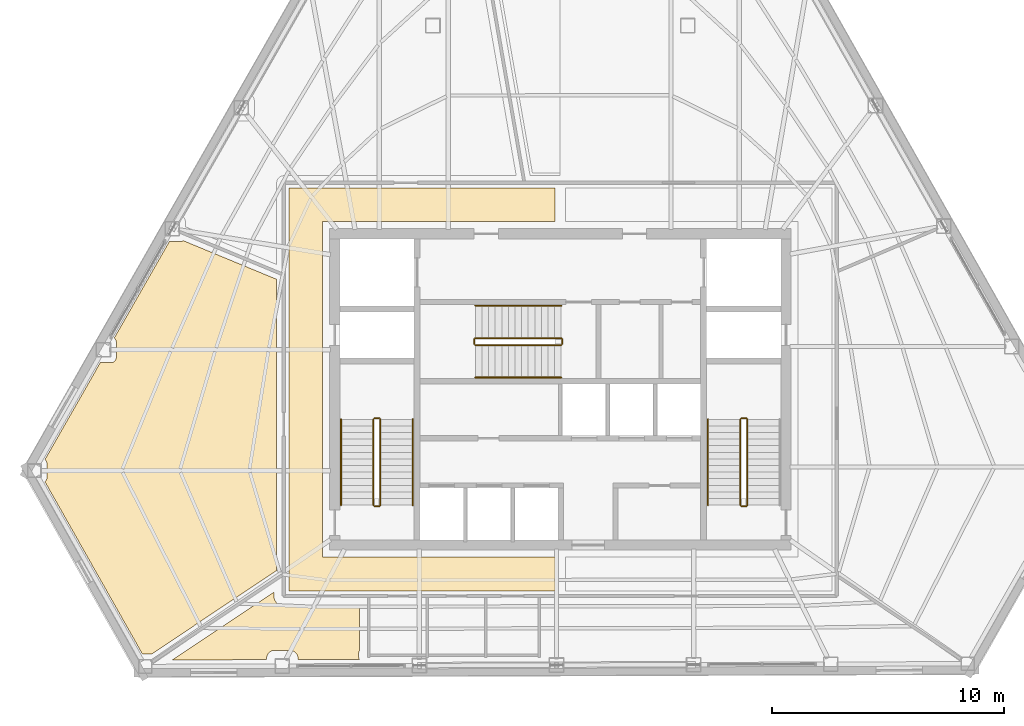
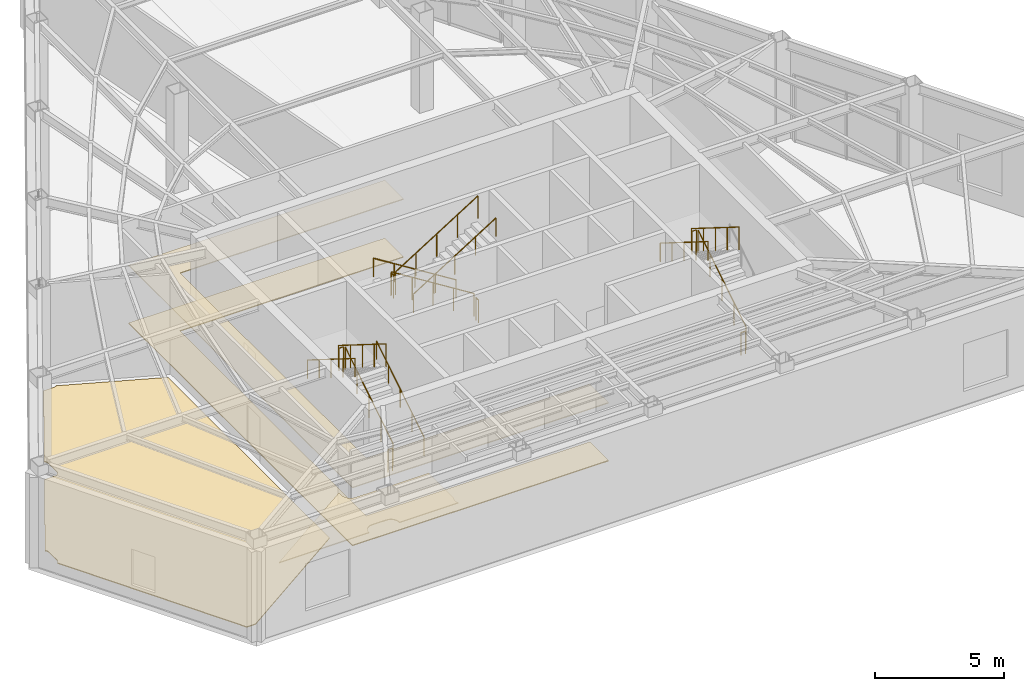
# One storey, part 13 of 14: 17 railings, 4 coverings.
"""IFC4 building model written with IfcOpenShell, lengths in metres."""

from ifc_helpers import new_model, si_unit, direction, frame, origin, origin_2d, place, context, subcontext, project, spatial, polyline, circle, outline, extrude, material, layer, layer_set, type_object, element, save


model = new_model("IFC4")

# Units and contexts
model_context = context("Model", 3, precision=1e-05, world=origin(), true_north=direction((0.0, 1.0)))
body_context = subcontext(model_context, "Body", "Model", "MODEL_VIEW")
ifc_project = project(units=[si_unit("LENGTHUNIT", "METRE"), si_unit("AREAUNIT", "SQUARE_METRE"), si_unit("VOLUMEUNIT", "CUBIC_METRE"), si_unit("PLANEANGLEUNIT", "RADIAN"), si_unit("MASSUNIT", "GRAM", prefix="KILO")], contexts=[model_context])

# Site, building, storey
site_placement = place(None, origin())
site = spatial("IfcSite", under=ifc_project, at=site_placement, CompositionType="ELEMENT")
building_placement = place(site_placement, origin())
building = spatial("IfcBuilding", under=site, at=building_placement, Name="Kavelnor Concourse Tower", CompositionType="ELEMENT")
storey_placement = place(building_placement, frame((0.0, 0.0, 160.0)))
storey = spatial("IfcBuildingStorey", under=building, at=storey_placement, Name="L40", CompositionType="ELEMENT", Elevation=160.0)

# Coverings
ifc_material_1 = material(Name="Mineral fibre acoustic ceiling tile")
ifc_layer_1 = layer(ifc_material_1, 0.0400390625, Name="Mineral fibre acoustic ceiling tile")
ifc_layer_set_1 = layer_set([ifc_layer_1], Name="Mineral fibre acoustic ceiling tile")
covering_type_1 = type_object("IfcCoveringType", Name="COV-CEILING-ACOUSTIC", PredefinedType="CEILING", material=ifc_layer_set_1)
covering_1_placement = place(storey_placement, frame((0.0, 0.0, 2.75)))
element("IfcCovering", 1, at=covering_1_placement, inside=storey, type_object=covering_type_1, Name="L40 Suspended Acoustic Ceiling", PredefinedType="CEILING", context=body_context, shape_type="SweptSolid", body=[
    extrude(outline(polyline([(26.280029296875, 7.39990234375), (26.280029296875, 24.800048828125), (37.77490234375, 24.800048828125), (37.77490234375, 23.340087890625), (27.739990234375, 23.340087890625), (27.739990234375, 8.860107421875), (37.77490234375, 8.860107421875), (37.77490234375, 7.39990234375), (26.280029296875, 7.39990234375)])), origin(), (0.0, 0.0, 1.0), 0.0400390625),
])
covering_2_placement = place(storey_placement, frame((0.0, 0.0, 2.75)))
element("IfcCovering", 2, at=covering_2_placement, inside=storey, type_object=covering_type_1, Name="L40 Suspended Acoustic Ceiling", PredefinedType="CEILING", context=body_context, shape_type="SweptSolid", body=[
    extrude(outline(polyline([(25.637451171875, 7.344970703125), (25.637451171875, 7.171630859375), (25.63916015625, 7.138427734375), (25.645263671875, 7.097412109375), (25.6552734375, 7.05712890625), (25.669189453125, 7.018310546875), (25.68701171875, 6.980712890625), (25.70849609375, 6.945068359375), (25.733154296875, 6.91162109375), (25.760986328125, 6.881103515625), (25.791748046875, 6.85302734375), (25.824951171875, 6.828369140625), (25.860595703125, 6.806884765625), (25.898193359375, 6.789306640625), (25.937255859375, 6.775390625), (25.9775390625, 6.76513671875), (26.0185546875, 6.759033203125), (26.0517578125, 6.757568359375), (29.3349609375, 6.757568359375), (29.3349609375, 4.8251953125), (29.33251953125, 4.821044921875), (29.3154296875, 4.78515625), (29.302001953125, 4.747802734375), (29.29248046875, 4.708984375), (29.28662109375, 4.669677734375), (29.28466796875, 4.6298828125), (29.28662109375, 4.59033203125), (29.29248046875, 4.55078125), (29.302001953125, 4.51220703125), (29.3154296875, 4.474853515625), (29.32958984375, 4.44482421875), (26.679443359375, 4.435791015625), (26.679443359375, 4.48193359375), (26.677978515625, 4.5087890625), (26.6728515625, 4.5439453125), (26.664306640625, 4.578125), (26.65234375, 4.611572265625), (26.63720703125, 4.6435546875), (26.619140625, 4.673828125), (26.597900390625, 4.7021484375), (26.57421875, 4.728515625), (26.548095703125, 4.752197265625), (26.51953125, 4.773193359375), (26.4892578125, 4.79150390625), (26.457275390625, 4.806640625), (26.424072265625, 4.818603515625), (26.3896484375, 4.8271484375), (26.354736328125, 4.832275390625), (26.32763671875, 4.83349609375), (25.671142578125, 4.83349609375), (25.64404296875, 4.832275390625), (25.609130859375, 4.8271484375), (25.57470703125, 4.818603515625), (25.54150390625, 4.806640625), (25.509521484375, 4.79150390625), (25.479248046875, 4.773193359375), (25.45068359375, 4.752197265625), (25.424560546875, 4.728515625), (25.40087890625, 4.7021484375), (25.379638671875, 4.673828125), (25.361572265625, 4.6435546875), (25.346435546875, 4.611572265625), (25.33447265625, 4.578125), (25.325927734375, 4.5439453125), (25.32080078125, 4.5087890625), (25.3193359375, 4.48193359375), (25.3193359375, 4.431396484375), (21.25390625, 4.41748046875), (25.637451171875, 7.344970703125)])), origin(), (0.0, 0.0, 1.0), 0.0400390625),
])
ifc_material_2 = material(Name="Honed bluestone and raised access floor finish", Category="masonry")
ifc_layer_2 = layer(ifc_material_2, 0.0400390625, Name="Honed bluestone and raised access floor finish")
ifc_layer_set_2 = layer_set([ifc_layer_2], Name="Honed bluestone and raised access floor finish")
covering_type_2 = type_object("IfcCoveringType", Name="COV-FLOOR-STONE", PredefinedType="FLOORING", material=ifc_layer_set_2)
covering_3_placement = place(storey_placement, frame((0.0, 0.0, 0.001953125)))
element("IfcCovering", 3, at=covering_3_placement, inside=storey, type_object=covering_type_2, Name="L40 Honed Bluestone Floor Finish", PredefinedType="FLOORING", context=body_context, shape_type="SweptSolid", body=[
    extrude(outline(polyline([(26.280029296875, 7.39990234375), (26.280029296875, 24.800048828125), (37.77490234375, 24.800048828125), (37.77490234375, 23.340087890625), (27.739990234375, 23.340087890625), (27.739990234375, 8.860107421875), (37.77490234375, 8.860107421875), (37.77490234375, 7.39990234375), (26.280029296875, 7.39990234375)])), origin(), (0.0, 0.0, 1.0), 0.0400390625),
])
covering_4_placement = place(storey_placement, frame((0.0, 0.0, 0.001953125)))
element("IfcCovering", 4, at=covering_4_placement, inside=storey, type_object=covering_type_2, Name="L40 Honed Bluestone Floor Finish", PredefinedType="FLOORING", context=body_context, shape_type="SweptSolid", body=[
    extrude(outline(polyline([(15.765869140625, 12.12109375), (15.781494140625, 12.138427734375), (15.795654296875, 12.157470703125), (15.807861328125, 12.177490234375), (15.81787109375, 12.198974609375), (15.82568359375, 12.22119140625), (15.83154296875, 12.243896484375), (15.8349609375, 12.267333984375), (15.8359375, 12.285400390625), (15.8359375, 12.896240234375), (15.8349609375, 12.91455078125), (15.83154296875, 12.937744140625), (15.82568359375, 12.960693359375), (15.81787109375, 12.98291015625), (15.807861328125, 13.004150390625), (15.795654296875, 13.0244140625), (15.781494140625, 13.043212890625), (15.765869140625, 13.060791015625), (15.754150390625, 13.0712890625), (18.138427734375, 17.251708984375), (18.598876953125, 17.251708984375), (18.6171875, 17.252685546875), (18.640380859375, 17.256103515625), (18.6630859375, 17.261962890625), (18.685302734375, 17.269775390625), (18.706787109375, 17.27978515625), (18.72705078125, 17.2919921875), (18.745849609375, 17.30615234375), (18.763427734375, 17.322021484375), (18.779296875, 17.33935546875), (18.793212890625, 17.3583984375), (18.805419921875, 17.37841796875), (18.8154296875, 17.39990234375), (18.823486328125, 17.422119140625), (18.8291015625, 17.44482421875), (18.83251953125, 17.46826171875), (18.83349609375, 17.486328125), (18.83349609375, 18.13720703125), (18.83251953125, 18.155517578125), (18.8291015625, 18.1787109375), (18.823486328125, 18.201416015625), (18.8154296875, 18.2236328125), (18.805419921875, 18.2451171875), (18.793212890625, 18.265380859375), (18.779296875, 18.2841796875), (18.763427734375, 18.3017578125), (18.74609375, 18.3173828125), (21.115966796875, 22.47265625), (21.57666015625, 22.47265625), (21.5947265625, 22.4736328125), (21.6181640625, 22.47705078125), (21.640869140625, 22.48291015625), (21.6630859375, 22.49072265625), (21.6845703125, 22.500732421875), (21.70458984375, 22.512939453125), (21.7158203125, 22.52099609375), (25.757568359375, 20.84814453125), (25.757568359375, 8.27880859375), (20.35888671875, 4.673583984375), (19.959716796875, 4.673583984375), (15.75244140625, 12.10888671875), (15.765869140625, 12.12109375)])), origin(), (0.0, 0.0, 1.0), 0.0400390625),
])

# Railings
ifc_material_3 = material(Name="Steel Grade 350", Category="steel")
railing_type_1 = type_object("IfcRailingType", Name="RLG-GUARD-1100", PredefinedType="GUARDRAIL", material=ifc_material_3)
railing_1_placement = place(storey_placement, frame((30.22998046875, 11.10009765625, 0.178466796875)))
element("IfcRailing", 5, at=railing_1_placement, inside=storey, type_object=railing_type_1, Name="L40 ST1 stair guard 1", PredefinedType="GUARDRAIL", context=body_context, shape_type="SweptSolid", body=[
    extrude(circle(Radius=0.02392578125, at=origin_2d()), frame((0.0, 0.0, 1.076171875), z_axis=(0.0, 0.847379717373, 0.530987395881), x_axis=(-1.0, 0.0, 0.0)), (0.0, 0.0, 1.0), 4.3720703125),
    extrude(circle(Radius=0.02099609375, at=origin_2d()), origin(), (0.0, 0.0, 1.0), 1.052001953125),
    extrude(circle(Radius=0.02099609375, at=origin_2d()), frame((0.0, 0.92626953125, 0.580322265625)), (0.0, 0.0, 1.0), 1.052001953125),
    extrude(circle(Radius=0.02099609375, at=origin_2d()), frame((0.0, 1.8525390625, 1.16064453125)), (0.0, 0.0, 1.0), 1.052001953125),
    extrude(circle(Radius=0.02099609375, at=origin_2d()), frame((0.0, 2.778564453125, 1.7412109375)), (0.0, 0.0, 1.0), 1.052001953125),
    extrude(circle(Radius=0.02099609375, at=origin_2d()), frame((0.0, 3.704833984375, 2.321533203125)), (0.0, 0.0, 1.0), 1.052001953125),
])
railing_2_placement = place(storey_placement, frame((30.179931640625, 14.85498046875, 2.5)))
element("IfcRailing", 6, at=railing_2_placement, inside=storey, type_object=railing_type_1, Name="L40 ST1 stair guard 2", PredefinedType="GUARDRAIL", context=body_context, shape_type="SweptSolid", body=[
    extrude(circle(Radius=0.02392578125, at=origin_2d()), frame((0.0, 0.0, 1.076171875), z_axis=(-1.0, 0.0, 0.0), x_axis=(0.0, -1.0, 0.0)), (0.0, 0.0, 1.0), 0.199951171875),
    extrude(circle(Radius=0.02099609375, at=origin_2d()), origin(), (0.0, 0.0, 1.0), 1.052001953125),
    extrude(circle(Radius=0.02099609375, at=origin_2d()), frame((-0.199951171875, 0.0, 0.0)), (0.0, 0.0, 1.0), 1.052001953125),
])
railing_3_placement = place(storey_placement, frame((29.929931640625, 14.804931640625, 2.678466796875)))
element("IfcRailing", 7, at=railing_3_placement, inside=storey, type_object=railing_type_1, Name="L40 ST1 stair guard 3", PredefinedType="GUARDRAIL", context=body_context, shape_type="SweptSolid", body=[
    extrude(circle(Radius=0.02392578125, at=origin_2d()), frame((0.0, 0.0, 1.076171875), z_axis=(0.0, -0.847379717373, 0.530987395881), x_axis=(1.0, 0.0, 0.0)), (0.0, 0.0, 1.0), 4.3720703125),
    extrude(circle(Radius=0.02099609375, at=origin_2d()), origin(), (0.0, 0.0, 1.0), 1.052001953125),
    extrude(circle(Radius=0.02099609375, at=origin_2d()), frame((0.0, -0.92626953125, 0.580322265625)), (0.0, 0.0, 1.0), 1.052001953125),
    extrude(circle(Radius=0.02099609375, at=origin_2d()), frame((0.0, -1.8525390625, 1.16064453125)), (0.0, 0.0, 1.0), 1.052001953125),
    extrude(circle(Radius=0.02099609375, at=origin_2d()), frame((0.0, -2.778564453125, 1.7412109375)), (0.0, 0.0, 1.0), 1.052001953125),
    extrude(circle(Radius=0.02099609375, at=origin_2d()), frame((0.0, -3.704833984375, 2.321533203125)), (0.0, 0.0, 1.0), 1.052001953125),
])
railing_4_placement = place(storey_placement, frame((30.179931640625, 11.050048828125, 0.0)))
element("IfcRailing", 8, at=railing_4_placement, inside=storey, type_object=railing_type_1, Name="L40 ST1 stair guard 4", PredefinedType="GUARDRAIL", context=body_context, shape_type="SweptSolid", body=[
    extrude(circle(Radius=0.02392578125, at=origin_2d()), frame((0.0, 0.0, 1.076171875), z_axis=(-1.0, 0.0, 0.0), x_axis=(0.0, -1.0, 0.0)), (0.0, 0.0, 1.0), 0.199951171875),
    extrude(circle(Radius=0.02099609375, at=origin_2d()), origin(), (0.0, 0.0, 1.0), 1.052001953125),
    extrude(circle(Radius=0.02099609375, at=origin_2d()), frame((-0.199951171875, 0.0, 0.0)), (0.0, 0.0, 1.0), 1.052001953125),
])
railing_5_placement = place(storey_placement, frame((46.070068359375, 11.10009765625, 0.178466796875)))
element("IfcRailing", 9, at=railing_5_placement, inside=storey, type_object=railing_type_1, Name="L40 ST2 stair guard 1", PredefinedType="GUARDRAIL", context=body_context, shape_type="SweptSolid", body=[
    extrude(circle(Radius=0.02392578125, at=origin_2d()), frame((0.0, 0.0, 1.076171875), z_axis=(0.0, 0.847379717373, 0.530987395881), x_axis=(-1.0, 0.0, 0.0)), (0.0, 0.0, 1.0), 4.3720703125),
    extrude(circle(Radius=0.02099609375, at=origin_2d()), origin(), (0.0, 0.0, 1.0), 1.052001953125),
    extrude(circle(Radius=0.02099609375, at=origin_2d()), frame((0.0, 0.92626953125, 0.580322265625)), (0.0, 0.0, 1.0), 1.052001953125),
    extrude(circle(Radius=0.02099609375, at=origin_2d()), frame((0.0, 1.8525390625, 1.16064453125)), (0.0, 0.0, 1.0), 1.052001953125),
    extrude(circle(Radius=0.02099609375, at=origin_2d()), frame((0.0, 2.778564453125, 1.7412109375)), (0.0, 0.0, 1.0), 1.052001953125),
    extrude(circle(Radius=0.02099609375, at=origin_2d()), frame((0.0, 3.704833984375, 2.321533203125)), (0.0, 0.0, 1.0), 1.052001953125),
])
railing_6_placement = place(storey_placement, frame((46.02001953125, 14.85498046875, 2.5)))
element("IfcRailing", 10, at=railing_6_placement, inside=storey, type_object=railing_type_1, Name="L40 ST2 stair guard 2", PredefinedType="GUARDRAIL", context=body_context, shape_type="SweptSolid", body=[
    extrude(circle(Radius=0.02392578125, at=origin_2d()), frame((0.0, 0.0, 1.076171875), z_axis=(-1.0, 0.0, 0.0), x_axis=(0.0, -1.0, 0.0)), (0.0, 0.0, 1.0), 0.199951171875),
    extrude(circle(Radius=0.02099609375, at=origin_2d()), origin(), (0.0, 0.0, 1.0), 1.052001953125),
    extrude(circle(Radius=0.02099609375, at=origin_2d()), frame((-0.199951171875, 0.0, 0.0)), (0.0, 0.0, 1.0), 1.052001953125),
])
railing_7_placement = place(storey_placement, frame((45.77001953125, 14.804931640625, 2.678466796875)))
element("IfcRailing", 11, at=railing_7_placement, inside=storey, type_object=railing_type_1, Name="L40 ST2 stair guard 3", PredefinedType="GUARDRAIL", context=body_context, shape_type="SweptSolid", body=[
    extrude(circle(Radius=0.02392578125, at=origin_2d()), frame((0.0, 0.0, 1.076171875), z_axis=(0.0, -0.847379717373, 0.530987395881), x_axis=(1.0, 0.0, 0.0)), (0.0, 0.0, 1.0), 4.3720703125),
    extrude(circle(Radius=0.02099609375, at=origin_2d()), origin(), (0.0, 0.0, 1.0), 1.052001953125),
    extrude(circle(Radius=0.02099609375, at=origin_2d()), frame((0.0, -0.92626953125, 0.580322265625)), (0.0, 0.0, 1.0), 1.052001953125),
    extrude(circle(Radius=0.02099609375, at=origin_2d()), frame((0.0, -1.8525390625, 1.16064453125)), (0.0, 0.0, 1.0), 1.052001953125),
    extrude(circle(Radius=0.02099609375, at=origin_2d()), frame((0.0, -2.778564453125, 1.7412109375)), (0.0, 0.0, 1.0), 1.052001953125),
    extrude(circle(Radius=0.02099609375, at=origin_2d()), frame((0.0, -3.704833984375, 2.321533203125)), (0.0, 0.0, 1.0), 1.052001953125),
])
railing_8_placement = place(storey_placement, frame((46.02001953125, 11.050048828125, 0.0)))
element("IfcRailing", 12, at=railing_8_placement, inside=storey, type_object=railing_type_1, Name="L40 ST2 stair guard 4", PredefinedType="GUARDRAIL", context=body_context, shape_type="SweptSolid", body=[
    extrude(circle(Radius=0.02392578125, at=origin_2d()), frame((0.0, 0.0, 1.076171875), z_axis=(-1.0, 0.0, 0.0), x_axis=(0.0, -1.0, 0.0)), (0.0, 0.0, 1.0), 0.199951171875),
    extrude(circle(Radius=0.02099609375, at=origin_2d()), origin(), (0.0, 0.0, 1.0), 1.052001953125),
    extrude(circle(Radius=0.02099609375, at=origin_2d()), frame((-0.199951171875, 0.0, 0.0)), (0.0, 0.0, 1.0), 1.052001953125),
])
railing_9_placement = place(storey_placement, frame((38.0400390625, 18.31005859375, 0.178466796875)))
element("IfcRailing", 13, at=railing_9_placement, inside=storey, type_object=railing_type_1, Name="L40 ST3 stair guard 1", PredefinedType="GUARDRAIL", context=body_context, shape_type="SweptSolid", body=[
    extrude(circle(Radius=0.02392578125, at=origin_2d()), frame((0.0, 0.0, 1.076171875), z_axis=(-0.847395460354, 0.0, 0.530962271514), x_axis=(0.0, -1.0, 0.0)), (0.0, 0.0, 1.0), 4.372314453125),
    extrude(circle(Radius=0.02099609375, at=origin_2d()), origin(), (0.0, 0.0, 1.0), 1.052001953125),
    extrude(circle(Radius=0.02099609375, at=origin_2d()), frame((-0.92626953125, 0.0, 0.580322265625)), (0.0, 0.0, 1.0), 1.052001953125),
    extrude(circle(Radius=0.02099609375, at=origin_2d()), frame((-1.8525390625, 0.0, 1.16064453125)), (0.0, 0.0, 1.0), 1.052001953125),
    extrude(circle(Radius=0.02099609375, at=origin_2d()), frame((-2.77880859375, 0.0, 1.7412109375)), (0.0, 0.0, 1.0), 1.052001953125),
    extrude(circle(Radius=0.02099609375, at=origin_2d()), frame((-3.705078125, 0.0, 2.321533203125)), (0.0, 0.0, 1.0), 1.052001953125),
])
railing_10_placement = place(storey_placement, frame((34.284912109375, 18.260009765625, 2.5)))
element("IfcRailing", 14, at=railing_10_placement, inside=storey, type_object=railing_type_1, Name="L40 ST3 stair guard 2", PredefinedType="GUARDRAIL", context=body_context, shape_type="SweptSolid", body=[
    extrude(circle(Radius=0.02392578125, at=origin_2d()), frame((0.0, 0.0, 1.076171875), z_axis=(0.0, -1.0, 0.0), x_axis=(1.0, 0.0, 0.0)), (0.0, 0.0, 1.0), 0.199951171875),
    extrude(circle(Radius=0.02099609375, at=origin_2d()), origin(), (0.0, 0.0, 1.0), 1.052001953125),
    extrude(circle(Radius=0.02099609375, at=origin_2d()), frame((0.0, -0.199951171875, 0.0)), (0.0, 0.0, 1.0), 1.052001953125),
])
railing_11_placement = place(storey_placement, frame((34.3349609375, 18.010009765625, 2.678466796875)))
element("IfcRailing", 15, at=railing_11_placement, inside=storey, type_object=railing_type_1, Name="L40 ST3 stair guard 3", PredefinedType="GUARDRAIL", context=body_context, shape_type="SweptSolid", body=[
    extrude(circle(Radius=0.02392578125, at=origin_2d()), frame((0.0, 0.0, 1.076171875), z_axis=(0.847395460354, 0.0, 0.530962271514), x_axis=(0.0, 1.0, 0.0)), (0.0, 0.0, 1.0), 4.372314453125),
    extrude(circle(Radius=0.02099609375, at=origin_2d()), origin(), (0.0, 0.0, 1.0), 1.052001953125),
    extrude(circle(Radius=0.02099609375, at=origin_2d()), frame((0.92626953125, 0.0, 0.580322265625)), (0.0, 0.0, 1.0), 1.052001953125),
    extrude(circle(Radius=0.02099609375, at=origin_2d()), frame((1.8525390625, 0.0, 1.16064453125)), (0.0, 0.0, 1.0), 1.052001953125),
    extrude(circle(Radius=0.02099609375, at=origin_2d()), frame((2.77880859375, 0.0, 1.7412109375)), (0.0, 0.0, 1.0), 1.052001953125),
    extrude(circle(Radius=0.02099609375, at=origin_2d()), frame((3.705078125, 0.0, 2.321533203125)), (0.0, 0.0, 1.0), 1.052001953125),
])
railing_12_placement = place(storey_placement, frame((38.090087890625, 18.260009765625, 0.0)))
element("IfcRailing", 16, at=railing_12_placement, inside=storey, type_object=railing_type_1, Name="L40 ST3 stair guard 4", PredefinedType="GUARDRAIL", context=body_context, shape_type="SweptSolid", body=[
    extrude(circle(Radius=0.02392578125, at=origin_2d()), frame((0.0, 0.0, 1.076171875), z_axis=(0.0, -1.0, 0.0), x_axis=(1.0, 0.0, 0.0)), (0.0, 0.0, 1.0), 0.199951171875),
    extrude(circle(Radius=0.02099609375, at=origin_2d()), origin(), (0.0, 0.0, 1.0), 1.052001953125),
    extrude(circle(Radius=0.02099609375, at=origin_2d()), frame((0.0, -0.199951171875, 0.0)), (0.0, 0.0, 1.0), 1.052001953125),
])
railing_type_2 = type_object("IfcRailingType", Name="RLG-HANDRAIL-900", PredefinedType="HANDRAIL", material=ifc_material_3)
railing_13_placement = place(storey_placement, frame((31.6298828125, 11.10009765625, 0.178466796875)))
element("IfcRailing", 17, at=railing_13_placement, inside=storey, type_object=railing_type_2, Name="L40 ST1 stair handrail 1", PredefinedType="HANDRAIL", context=body_context, shape_type="SweptSolid", body=[
    extrude(circle(Radius=0.02392578125, at=origin_2d()), frame((0.0, 0.0, 0.8759765625), z_axis=(0.0, 0.847379717373, 0.530987395881), x_axis=(-1.0, 0.0, 0.0)), (0.0, 0.0, 1.0), 4.3720703125),
    extrude(circle(Radius=0.02099609375, at=origin_2d()), origin(), (0.0, 0.0, 1.0), 0.851806640625),
    extrude(circle(Radius=0.02099609375, at=origin_2d()), frame((0.0, 0.92626953125, 0.580322265625)), (0.0, 0.0, 1.0), 0.851806640625),
    extrude(circle(Radius=0.02099609375, at=origin_2d()), frame((0.0, 1.8525390625, 1.16064453125)), (0.0, 0.0, 1.0), 0.851806640625),
    extrude(circle(Radius=0.02099609375, at=origin_2d()), frame((0.0, 2.778564453125, 1.7412109375)), (0.0, 0.0, 1.0), 0.851806640625),
    extrude(circle(Radius=0.02099609375, at=origin_2d()), frame((0.0, 3.704833984375, 2.321533203125)), (0.0, 0.0, 1.0), 0.851806640625),
])
for number, where, name in (
    (18, (28.530029296875, 14.804931640625, 2.678466796875), "L40 ST1 stair handrail 2"),
    (19, (44.3701171875, 14.804931640625, 2.678466796875), "L40 ST2 stair handrail 2"),
):
    element("IfcRailing", number, at=place(storey_placement, frame(where)), inside=storey, type_object=railing_type_2, Name=name, PredefinedType="HANDRAIL", context=body_context, shape_type="SweptSolid", body=[
        extrude(circle(Radius=0.02392578125, at=origin_2d()), frame((0.0, 0.0, 0.8759765625), z_axis=(0.0, -0.847379717373, 0.530987395881), x_axis=(1.0, 0.0, 0.0)), (0.0, 0.0, 1.0), 4.3720703125),
        extrude(circle(Radius=0.02099609375, at=origin_2d()), origin(), (0.0, 0.0, 1.0), 0.851806640625),
        extrude(circle(Radius=0.02099609375, at=origin_2d()), frame((0.0, -0.92626953125, 0.580322265625)), (0.0, 0.0, 1.0), 0.851806640625),
        extrude(circle(Radius=0.02099609375, at=origin_2d()), frame((0.0, -1.8525390625, 1.16064453125)), (0.0, 0.0, 1.0), 0.851806640625),
        extrude(circle(Radius=0.02099609375, at=origin_2d()), frame((0.0, -2.778564453125, 1.7412109375)), (0.0, 0.0, 1.0), 0.851806640625),
        extrude(circle(Radius=0.02099609375, at=origin_2d()), frame((0.0, -3.704833984375, 2.321533203125)), (0.0, 0.0, 1.0), 0.851806640625),
    ])
railing_14_placement = place(storey_placement, frame((38.0400390625, 19.7099609375, 0.178466796875)))
element("IfcRailing", 20, at=railing_14_placement, inside=storey, type_object=railing_type_2, Name="L40 ST3 stair handrail 1", PredefinedType="HANDRAIL", context=body_context, shape_type="SweptSolid", body=[
    extrude(circle(Radius=0.02392578125, at=origin_2d()), frame((0.0, 0.0, 0.8759765625), z_axis=(-0.847395460354, 0.0, 0.530962271514), x_axis=(0.0, -1.0, 0.0)), (0.0, 0.0, 1.0), 4.372314453125),
    extrude(circle(Radius=0.02099609375, at=origin_2d()), origin(), (0.0, 0.0, 1.0), 0.851806640625),
    extrude(circle(Radius=0.02099609375, at=origin_2d()), frame((-0.92626953125, 0.0, 0.580322265625)), (0.0, 0.0, 1.0), 0.851806640625),
    extrude(circle(Radius=0.02099609375, at=origin_2d()), frame((-1.8525390625, 0.0, 1.16064453125)), (0.0, 0.0, 1.0), 0.851806640625),
    extrude(circle(Radius=0.02099609375, at=origin_2d()), frame((-2.77880859375, 0.0, 1.7412109375)), (0.0, 0.0, 1.0), 0.851806640625),
    extrude(circle(Radius=0.02099609375, at=origin_2d()), frame((-3.705078125, 0.0, 2.321533203125)), (0.0, 0.0, 1.0), 0.851806640625),
])
railing_15_placement = place(storey_placement, frame((34.3349609375, 16.610107421875, 2.678466796875)))
element("IfcRailing", 21, at=railing_15_placement, inside=storey, type_object=railing_type_2, Name="L40 ST3 stair handrail 2", PredefinedType="HANDRAIL", context=body_context, shape_type="SweptSolid", body=[
    extrude(circle(Radius=0.02392578125, at=origin_2d()), frame((0.0, 0.0, 0.8759765625), z_axis=(0.847395460354, 0.0, 0.530962271514), x_axis=(0.0, 1.0, 0.0)), (0.0, 0.0, 1.0), 4.372314453125),
    extrude(circle(Radius=0.02099609375, at=origin_2d()), origin(), (0.0, 0.0, 1.0), 0.851806640625),
    extrude(circle(Radius=0.02099609375, at=origin_2d()), frame((0.92626953125, 0.0, 0.580322265625)), (0.0, 0.0, 1.0), 0.851806640625),
    extrude(circle(Radius=0.02099609375, at=origin_2d()), frame((1.8525390625, 0.0, 1.16064453125)), (0.0, 0.0, 1.0), 0.851806640625),
    extrude(circle(Radius=0.02099609375, at=origin_2d()), frame((2.77880859375, 0.0, 1.7412109375)), (0.0, 0.0, 1.0), 0.851806640625),
    extrude(circle(Radius=0.02099609375, at=origin_2d()), frame((3.705078125, 0.0, 2.321533203125)), (0.0, 0.0, 1.0), 0.851806640625),
])

save(model, "model.ifc")
